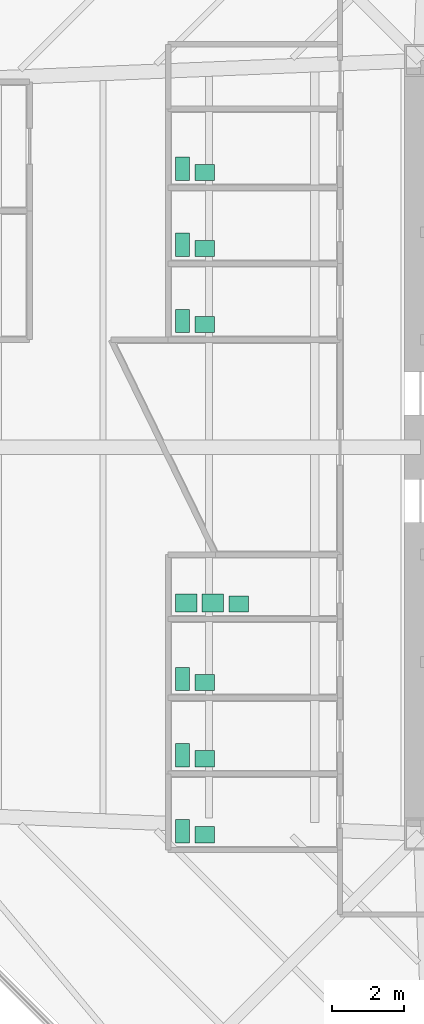
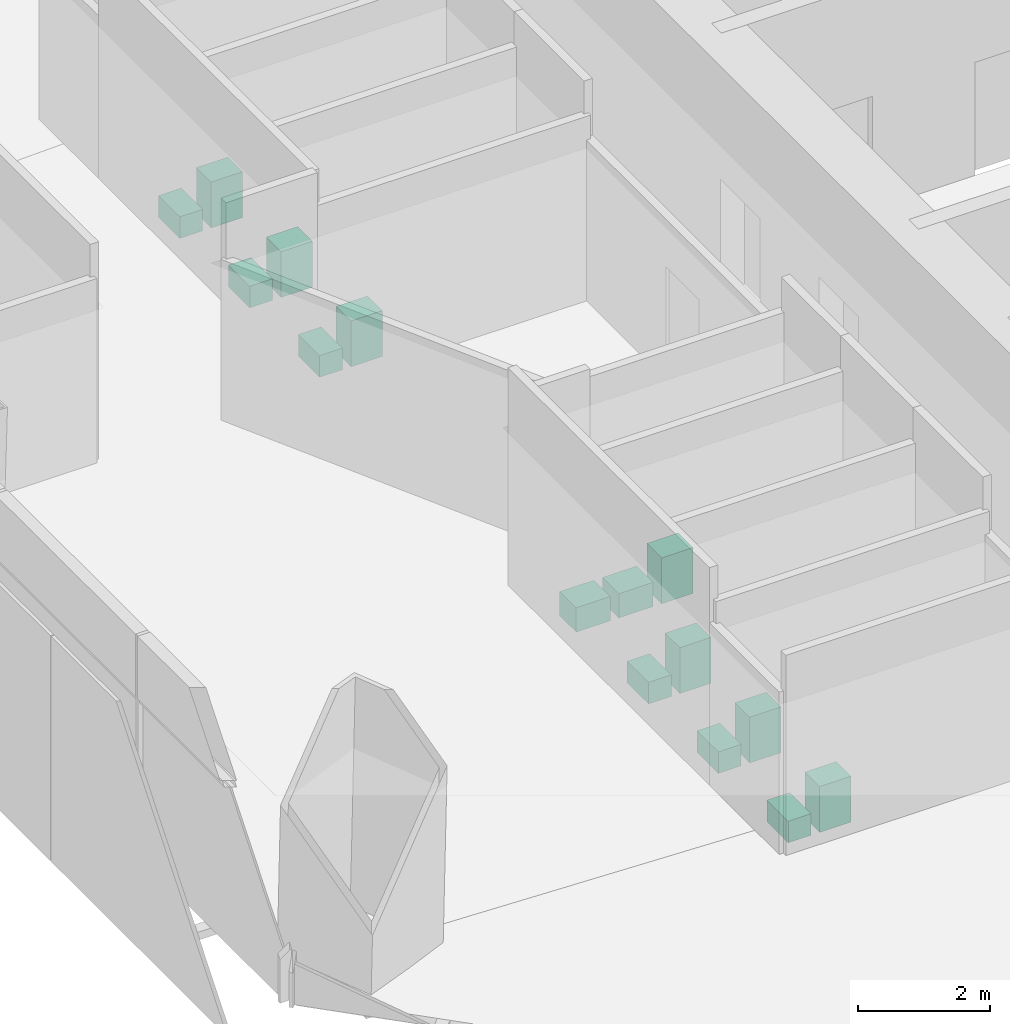
# One storey, part 15 of 15: 15 sanitary terminals.
"""IFC4 building model written with IfcOpenShell, lengths in metres."""

from ifc_helpers import new_model, si_unit, direction, frame, origin, origin_2d, place, context, subcontext, project, spatial, rectangle, extrude, material, type_object, element, save


model = new_model("IFC4")

# Units and contexts
model_context = context("Model", 3, precision=1e-05, world=origin(), true_north=direction((0.0, 1.0)))
body_context = subcontext(model_context, "Body", "Model", "MODEL_VIEW")
ifc_project = project(units=[si_unit("LENGTHUNIT", "METRE"), si_unit("AREAUNIT", "SQUARE_METRE"), si_unit("VOLUMEUNIT", "CUBIC_METRE"), si_unit("PLANEANGLEUNIT", "RADIAN"), si_unit("MASSUNIT", "GRAM", prefix="KILO")], contexts=[model_context])

# Site, building, storey
site_placement = place(None, origin())
site = spatial("IfcSite", under=ifc_project, at=site_placement, CompositionType="ELEMENT")
building_placement = place(site_placement, origin())
building = spatial("IfcBuilding", under=site, at=building_placement, Name="Mashrafa Tower", CompositionType="ELEMENT")
storey_placement = place(building_placement, frame((0.0, 0.0, 58.199951171875)))
storey = spatial("IfcBuildingStorey", under=building, at=storey_placement, Name="L12", CompositionType="ELEMENT", Elevation=58.199951171875)

# Sanitary terminals
ifc_material_1 = material(Name="Stainless steel", Category="steel")
sanitary_terminal_type_1 = type_object("IfcSanitaryTerminalType", Name="Ablution wash station 600 x 500", PredefinedType="WASHHANDBASIN", material=ifc_material_1)
for number, where, z_axis, x_axis, name in (
    (1, (-17.35009765625, -4.35009765625, 0.0), (0.0, 0.0, 1.0), (1.0, 0.0, 0.0), "Ablution wash station Ablution Room L12 S"),
    (2, (-16.60009765625, -4.35009765625, 0.0), (0.0, 0.0, 1.0), (1.0, 0.0, 0.0), "Ablution wash station Ablution Room L12 S"),
):
    element("IfcSanitaryTerminal", number, at=place(storey_placement, frame(where, z_axis=z_axis, x_axis=x_axis)), inside=storey, type_object=sanitary_terminal_type_1, Name=name, PredefinedType="WASHHANDBASIN", context=body_context, shape_type="SweptSolid", body=[
        extrude(rectangle(XDim=0.60009765625, YDim=0.5, at=origin_2d()), origin(), (0.0, 0.0, 1.0), 0.449951171875),
    ])
ifc_material_2 = material(Name="Vitreous china")
sanitary_terminal_type_2 = type_object("IfcSanitaryTerminalType", Name="Toilet pan 400 x 650", PredefinedType="TOILETPAN", material=ifc_material_2)
for number, where, z_axis, x_axis, name in (
    (3, (-17.449951171875, 3.52490234375, 0.0), (0.0, 0.0, 1.0), (1.0, 0.0, 0.0), "Toilet pan WC Female L12 N"),
    (4, (-17.449951171875, 5.64990234375, 0.0), (0.0, 0.0, 1.0), (1.0, 0.0, 0.0), "Toilet pan WC Male L12 N"),
    (5, (-17.449951171875, 7.77490234375, 0.0), (0.0, 0.0, 1.0), (1.0, 0.0, 0.0), "Toilet pan Accessible WC L12 N"),
    (6, (-17.449951171875, -10.72509765625, 0.0), (0.0, 0.0, 1.0), (1.0, 0.0, 0.0), "Toilet pan WC Female L12 S"),
    (7, (-17.449951171875, -8.60009765625, 0.0), (0.0, 0.0, 1.0), (1.0, 0.0, 0.0), "Toilet pan WC Male L12 S"),
    (8, (-17.449951171875, -6.47509765625, 0.0), (0.0, 0.0, 1.0), (1.0, 0.0, 0.0), "Toilet pan Accessible WC L12 S"),
):
    element("IfcSanitaryTerminal", number, at=place(storey_placement, frame(where, z_axis=z_axis, x_axis=x_axis)), inside=storey, type_object=sanitary_terminal_type_2, Name=name, PredefinedType="TOILETPAN", context=body_context, shape_type="SweptSolid", body=[
        extrude(rectangle(XDim=0.39990234375, YDim=0.64990234375, at=origin_2d()), origin(), (0.0, 0.0, 1.0), 0.39990234375),
    ])
ifc_material_3 = material(Name="Vitreous china")
sanitary_terminal_type_3 = type_object("IfcSanitaryTerminalType", Name="Wash basin 550 x 450", PredefinedType="WASHHANDBASIN", material=ifc_material_3)
for number, where, z_axis, x_axis, name in (
    (9, (-16.824951171875, 3.425048828125, 0.0), (0.0, 0.0, 1.0), (1.0, 0.0, 0.0), "Wash basin WC Female L12 N"),
    (10, (-16.824951171875, 5.550048828125, 0.0), (0.0, 0.0, 1.0), (1.0, 0.0, 0.0), "Wash basin WC Male L12 N"),
    (11, (-16.824951171875, 7.675048828125, 0.0), (0.0, 0.0, 1.0), (1.0, 0.0, 0.0), "Wash basin Accessible WC L12 N"),
    (12, (-16.824951171875, -10.824951171875, 0.0), (0.0, 0.0, 1.0), (1.0, 0.0, 0.0), "Wash basin WC Female L12 S"),
    (13, (-16.824951171875, -8.699951171875, 0.0), (0.0, 0.0, 1.0), (1.0, 0.0, 0.0), "Wash basin WC Male L12 S"),
    (14, (-16.824951171875, -6.574951171875, 0.0), (0.0, 0.0, 1.0), (1.0, 0.0, 0.0), "Wash basin Accessible WC L12 S"),
    (15, (-15.875, -4.375, 0.0), (0.0, 0.0, 1.0), (1.0, 0.0, 0.0), "Wash basin Ablution Room L12 S"),
):
    element("IfcSanitaryTerminal", number, at=place(storey_placement, frame(where, z_axis=z_axis, x_axis=x_axis)), inside=storey, type_object=sanitary_terminal_type_3, Name=name, PredefinedType="WASHHANDBASIN", context=body_context, shape_type="SweptSolid", body=[
        extrude(rectangle(XDim=0.550048828125, YDim=0.449951171875, at=origin_2d()), origin(), (0.0, 0.0, 1.0), 0.85009765625),
    ])

save(model, "model.ifc")
